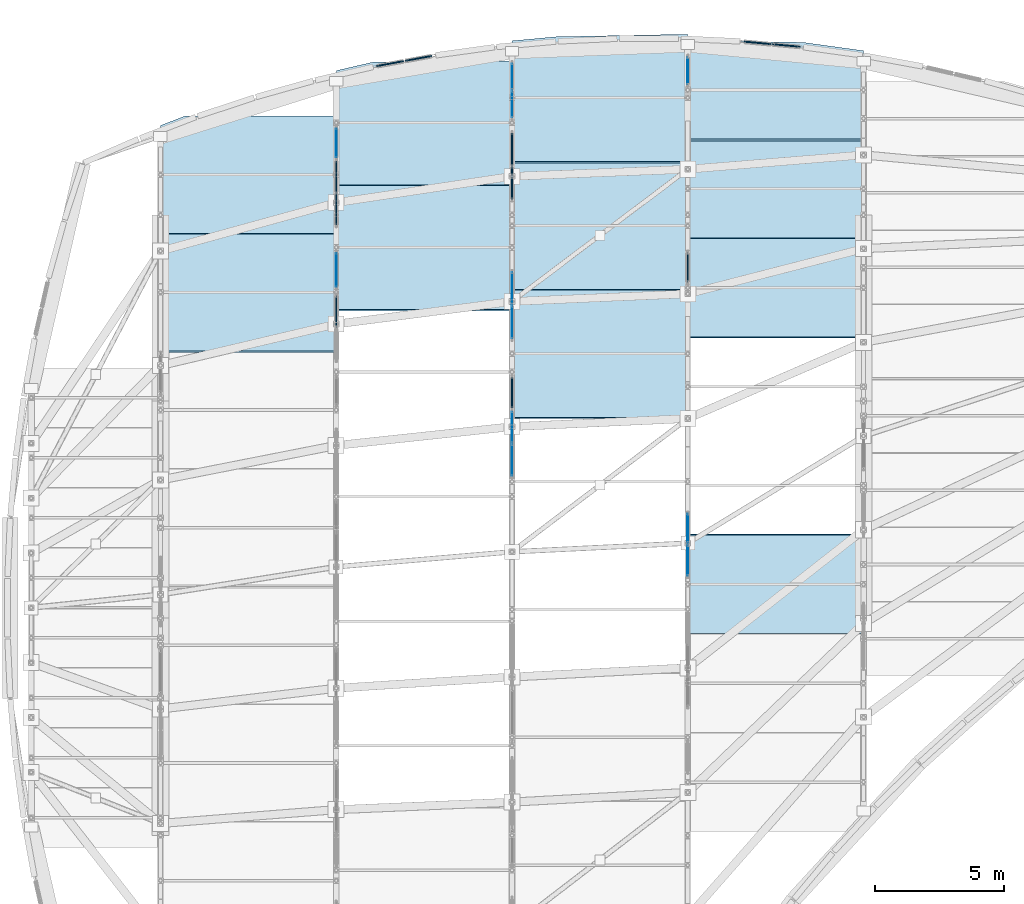
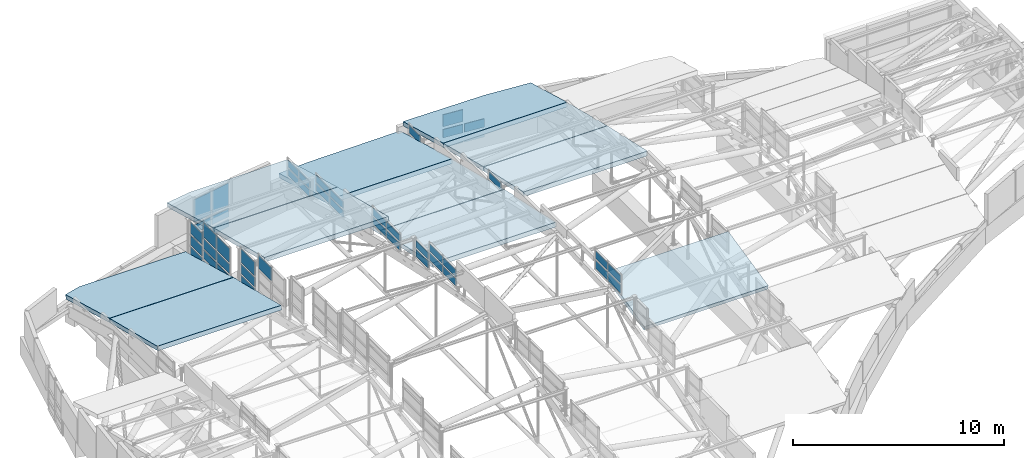
# One storey, part 162 of 188: 48 plates, 11 slabs, 14 elements without a shape of their own.
"""IFC4 building model written with IfcOpenShell, lengths in metres."""

from ifc_helpers import new_model, si_unit, direction, frame, origin, origin_2d, place, context, subcontext, project, spatial, polyline, rectangle, outline, extrude, material, layer, layer_set, type_object, element, aggregate, save


model = new_model("IFC4")

# Units and contexts
model_context = context("Model", 3, precision=1e-05, world=origin(), true_north=direction((0.0, 1.0)))
body_context = subcontext(model_context, "Body", "Model", "MODEL_VIEW")
ifc_project = project(units=[si_unit("LENGTHUNIT", "METRE"), si_unit("AREAUNIT", "SQUARE_METRE"), si_unit("VOLUMEUNIT", "CUBIC_METRE"), si_unit("PLANEANGLEUNIT", "RADIAN"), si_unit("MASSUNIT", "GRAM", prefix="KILO")], contexts=[model_context])

# Site, building, storey
site_placement = place(None, origin())
site = spatial("IfcSite", under=ifc_project, at=site_placement, CompositionType="ELEMENT")
building_placement = place(site_placement, origin())
building = spatial("IfcBuilding", under=site, at=building_placement, Name="Kisaragi Civic Commons", CompositionType="ELEMENT")
storey_placement = place(building_placement, frame((0.0, 0.0, 9.60009765625)))
storey = spatial("IfcBuildingStorey", under=building, at=storey_placement, Name="L02", CompositionType="ELEMENT", Elevation=9.60009765625)

# Curtain wall, plates
ifc_material_1 = material(Name="Thermally broken anodized aluminium and low-E double glazing", Category="aluminium")
ifc_layer_1 = layer(ifc_material_1, 0.2099609375, Name="Thermally broken anodized aluminium and low-E double glazing", Category="aluminium")
ifc_layer_set_1 = layer_set([ifc_layer_1], Name="Thermally broken anodized aluminium and low-E double glazing")
curtain_wall_type_1 = type_object("IfcCurtainWallType", Name="CW-02", PredefinedType="NOTDEFINED", material=ifc_layer_set_1)
curtain_wall_1_placement = place(storey_placement, origin())
curtain_wall_1 = element("IfcCurtainWall", 1, at=curtain_wall_1_placement, inside=storey, type_object=curtain_wall_type_1, Name="L02 curtain wall CW-02 CW-GAB-V2-223", PredefinedType="NOTDEFINED")
ifc_layer_2 = layer(ifc_material_1, 0.052001953125, Name="Thermally broken anodized aluminium and low-E double glazing", Category="aluminium")
ifc_layer_set_2 = layer_set([ifc_layer_2], Name="Thermally broken anodized aluminium and low-E double glazing")
plate_type_1 = type_object("IfcPlateType", Name="CWP-02", PredefinedType="CURTAIN_PANEL", material=ifc_layer_set_2)
plate_1_placement = place(storey_placement, frame((15.689453125, 117.453125, -1.2392578125), z_axis=(0.0, 0.0, 1.0), x_axis=(0.983297862814, 0.182003607066, 0.0)))
plate_1 = element("IfcPlate", 2, at=plate_1_placement, type_object=plate_type_1, Name="CW-02 panel 1.1", PredefinedType="CURTAIN_PANEL", context=body_context, shape_type="SweptSolid", body=[
    extrude(rectangle(XDim=1.044677734375, YDim=0.052001953125, at=origin_2d()), origin(), (0.0, 0.0, 1.0), 0.409912109375),
])
plate_2_placement = place(storey_placement, frame((15.689453125, 117.453125, -0.6689453125), z_axis=(0.0, 0.0, 1.0), x_axis=(0.983297862814, 0.182003607066, 0.0)))
plate_2 = element("IfcPlate", 3, at=plate_2_placement, type_object=plate_type_1, Name="CW-02 panel 1.2", PredefinedType="CURTAIN_PANEL", context=body_context, shape_type="SweptSolid", body=[
    extrude(rectangle(XDim=1.044677734375, YDim=0.052001953125, at=origin_2d()), origin(), (0.0, 0.0, 1.0), 0.489990234375),
])
plate_3_placement = place(storey_placement, frame((15.689453125, 117.453125, -0.01904296875), z_axis=(0.0, 0.0, 1.0), x_axis=(0.983297862814, 0.182003607066, 0.0)))
plate_3 = element("IfcPlate", 4, at=plate_3_placement, type_object=plate_type_1, Name="CW-02 panel 1.3", PredefinedType="CURTAIN_PANEL", context=body_context, shape_type="SweptSolid", body=[
    extrude(rectangle(XDim=1.044677734375, YDim=0.052001953125, at=origin_2d()), origin(), (0.0, 0.0, 1.0), 1.30859375),
])
plate_4_placement = place(storey_placement, frame((16.78564453125, 117.656005859375, -1.2392578125), z_axis=(0.0, 0.0, 1.0), x_axis=(0.983297862814, 0.182003607066, 0.0)))
plate_4 = element("IfcPlate", 5, at=plate_4_placement, type_object=plate_type_1, Name="CW-02 panel 2.1", PredefinedType="CURTAIN_PANEL", context=body_context, shape_type="SweptSolid", body=[
    extrude(rectangle(XDim=1.044677734375, YDim=0.052001953125, at=origin_2d()), origin(), (0.0, 0.0, 1.0), 0.409912109375),
])
plate_5_placement = place(storey_placement, frame((16.78564453125, 117.656005859375, -0.6689453125), z_axis=(0.0, 0.0, 1.0), x_axis=(0.983297862814, 0.182003607066, 0.0)))
plate_5 = element("IfcPlate", 6, at=plate_5_placement, type_object=plate_type_1, Name="CW-02 panel 2.2", PredefinedType="CURTAIN_PANEL", context=body_context, shape_type="SweptSolid", body=[
    extrude(rectangle(XDim=1.044677734375, YDim=0.052001953125, at=origin_2d()), origin(), (0.0, 0.0, 1.0), 0.489990234375),
])
plate_6_placement = place(storey_placement, frame((16.78564453125, 117.656005859375, -0.01904296875), z_axis=(0.0, 0.0, 1.0), x_axis=(0.983297862814, 0.182003607066, 0.0)))
plate_6 = element("IfcPlate", 7, at=plate_6_placement, type_object=plate_type_1, Name="CW-02 panel 2.3", PredefinedType="CURTAIN_PANEL", context=body_context, shape_type="SweptSolid", body=[
    extrude(rectangle(XDim=1.044677734375, YDim=0.052001953125, at=origin_2d()), origin(), (0.0, 0.0, 1.0), 1.30859375),
])
aggregate(curtain_wall_1, [plate_1, plate_2, plate_3, plate_4, plate_5, plate_6])

curtain_wall_2_placement = place(storey_placement, origin())
curtain_wall_2 = element("IfcCurtainWall", 8, at=curtain_wall_2_placement, inside=storey, type_object=curtain_wall_type_1, Name="L02 curtain wall CW-02 CW-GAB-V2-224", PredefinedType="NOTDEFINED")
plate_7_placement = place(storey_placement, frame((29.896240234375, 118.25634765625, -1.2392578125), z_axis=(0.0, 0.0, 1.0), x_axis=(0.995820521638, -0.091331750688, 0.0)))
plate_7 = element("IfcPlate", 9, at=plate_7_placement, type_object=plate_type_1, Name="CW-02 panel 1.1", PredefinedType="CURTAIN_PANEL", context=body_context, shape_type="SweptSolid", body=[
    extrude(rectangle(XDim=1.044677734375, YDim=0.052001953125, at=origin_2d()), origin(), (0.0, 0.0, 1.0), 0.409912109375),
])
plate_8_placement = place(storey_placement, frame((29.896240234375, 118.25634765625, -0.6689453125), z_axis=(0.0, 0.0, 1.0), x_axis=(0.995820521638, -0.091331750688, 0.0)))
plate_8 = element("IfcPlate", 10, at=plate_8_placement, type_object=plate_type_1, Name="CW-02 panel 1.2", PredefinedType="CURTAIN_PANEL", context=body_context, shape_type="SweptSolid", body=[
    extrude(rectangle(XDim=1.044677734375, YDim=0.052001953125, at=origin_2d()), origin(), (0.0, 0.0, 1.0), 0.489990234375),
])
plate_9_placement = place(storey_placement, frame((29.896240234375, 118.25634765625, -0.01904296875), z_axis=(0.0, 0.0, 1.0), x_axis=(0.995820521638, -0.091331750688, 0.0)))
plate_9 = element("IfcPlate", 11, at=plate_9_placement, type_object=plate_type_1, Name="CW-02 panel 1.3", PredefinedType="CURTAIN_PANEL", context=body_context, shape_type="SweptSolid", body=[
    extrude(rectangle(XDim=1.044677734375, YDim=0.052001953125, at=origin_2d()), origin(), (0.0, 0.0, 1.0), 0.6962890625),
])
plate_10_placement = place(storey_placement, frame((31.006103515625, 118.154541015625, -1.2392578125), z_axis=(0.0, 0.0, 1.0), x_axis=(0.995820521638, -0.091331750688, 0.0)))
plate_10 = element("IfcPlate", 12, at=plate_10_placement, type_object=plate_type_1, Name="CW-02 panel 2.1", PredefinedType="CURTAIN_PANEL", context=body_context, shape_type="SweptSolid", body=[
    extrude(rectangle(XDim=1.044677734375, YDim=0.052001953125, at=origin_2d()), origin(), (0.0, 0.0, 1.0), 0.409912109375),
])
plate_11_placement = place(storey_placement, frame((31.006103515625, 118.154541015625, -0.6689453125), z_axis=(0.0, 0.0, 1.0), x_axis=(0.995820521638, -0.091331750688, 0.0)))
plate_11 = element("IfcPlate", 13, at=plate_11_placement, type_object=plate_type_1, Name="CW-02 panel 2.2", PredefinedType="CURTAIN_PANEL", context=body_context, shape_type="SweptSolid", body=[
    extrude(rectangle(XDim=1.044677734375, YDim=0.052001953125, at=origin_2d()), origin(), (0.0, 0.0, 1.0), 0.489990234375),
])
aggregate(curtain_wall_2, [plate_7, plate_8, plate_9, plate_10, plate_11])

ifc_layer_3 = layer(ifc_material_1, 0.14990234375, Name="Thermally broken anodized aluminium and low-E double glazing", Category="aluminium")
ifc_layer_set_3 = layer_set([ifc_layer_3], Name="Thermally broken anodized aluminium and low-E double glazing")
curtain_wall_type_2 = type_object("IfcCurtainWallType", Name="CW-03", PredefinedType="NOTDEFINED", material=ifc_layer_set_3)
curtain_wall_3_placement = place(storey_placement, origin())
curtain_wall_3 = element("IfcCurtainWall", 14, at=curtain_wall_3_placement, inside=storey, type_object=curtain_wall_type_2, Name="L02 curtain wall CW-03 CW-CL-V2-190", PredefinedType="NOTDEFINED")
ifc_layer_4 = layer(ifc_material_1, 0.0380859375, Name="Thermally broken anodized aluminium and low-E double glazing", Category="aluminium")
ifc_layer_set_4 = layer_set([ifc_layer_4], Name="Thermally broken anodized aluminium and low-E double glazing")
plate_type_2 = type_object("IfcPlateType", Name="CWP-03", PredefinedType="CURTAIN_PANEL", material=ifc_layer_set_4)
plate_12_placement = place(storey_placement, frame((13.60009765625, 109.472900390625, 1.369140625), z_axis=(0.0, 0.0, 1.0), x_axis=(0.0, 1.0, 0.0)))
plate_12 = element("IfcPlate", 15, at=plate_12_placement, type_object=plate_type_2, Name="CW-03 panel 1.1", PredefinedType="CURTAIN_PANEL", context=body_context, shape_type="SweptSolid", body=[
    extrude(rectangle(XDim=1.298095703125, YDim=0.0380859375, at=origin_2d()), origin(), (0.0, 0.0, 1.0), 0.469970703125),
])
plate_13_placement = place(storey_placement, frame((13.60009765625, 109.472900390625, 1.958984375), z_axis=(0.0, 0.0, 1.0), x_axis=(0.0, 1.0, 0.0)))
plate_13 = element("IfcPlate", 16, at=plate_13_placement, type_object=plate_type_2, Name="CW-03 panel 1.2", PredefinedType="CURTAIN_PANEL", context=body_context, shape_type="SweptSolid", body=[
    extrude(rectangle(XDim=1.298095703125, YDim=0.0380859375, at=origin_2d()), origin(), (0.0, 0.0, 1.0), 0.530029296875),
])
plate_14_placement = place(storey_placement, frame((13.60009765625, 109.472900390625, 2.60888671875), z_axis=(0.0, 0.0, 1.0), x_axis=(0.0, 1.0, 0.0)))
plate_14 = element("IfcPlate", 17, at=plate_14_placement, type_object=plate_type_2, Name="CW-03 panel 1.3", PredefinedType="CURTAIN_PANEL", context=body_context, shape_type="SweptSolid", body=[
    extrude(rectangle(XDim=1.298095703125, YDim=0.0380859375, at=origin_2d()), origin(), (0.0, 0.0, 1.0), 0.771240234375),
])
aggregate(curtain_wall_3, [plate_12, plate_13, plate_14])

curtain_wall_4_placement = place(storey_placement, origin())
curtain_wall_4 = element("IfcCurtainWall", 18, at=curtain_wall_4_placement, inside=storey, type_object=curtain_wall_type_2, Name="L02 curtain wall CW-03 CW-CL-V2-192", PredefinedType="NOTDEFINED")
plate_15_placement = place(storey_placement, frame((13.60009765625, 114.383544921875, 0.125), z_axis=(0.0, 0.0, 1.0), x_axis=(0.0, 1.0, 0.0)))
plate_15 = element("IfcPlate", 19, at=plate_15_placement, type_object=plate_type_2, Name="CW-03 panel 1.1", PredefinedType="CURTAIN_PANEL", context=body_context, shape_type="SweptSolid", body=[
    extrude(rectangle(XDim=1.114501953125, YDim=0.0380859375, at=origin_2d()), origin(), (0.0, 0.0, 1.0), 0.469970703125),
])
plate_16_placement = place(storey_placement, frame((13.60009765625, 114.383544921875, 0.71484375), z_axis=(0.0, 0.0, 1.0), x_axis=(0.0, 1.0, 0.0)))
plate_16 = element("IfcPlate", 20, at=plate_16_placement, type_object=plate_type_2, Name="CW-03 panel 1.2", PredefinedType="CURTAIN_PANEL", context=body_context, shape_type="SweptSolid", body=[
    extrude(rectangle(XDim=1.114501953125, YDim=0.0380859375, at=origin_2d()), origin(), (0.0, 0.0, 1.0), 0.530029296875),
])
plate_17_placement = place(storey_placement, frame((13.60009765625, 114.383544921875, 1.364990234375), z_axis=(0.0, 0.0, 1.0), x_axis=(0.0, 1.0, 0.0)))
plate_17 = element("IfcPlate", 21, at=plate_17_placement, type_object=plate_type_2, Name="CW-03 panel 1.3", PredefinedType="CURTAIN_PANEL", context=body_context, shape_type="SweptSolid", body=[
    extrude(rectangle(XDim=1.114501953125, YDim=0.0380859375, at=origin_2d()), origin(), (0.0, 0.0, 1.0), 0.6494140625),
])
aggregate(curtain_wall_4, [plate_15, plate_16, plate_17])

curtain_wall_5_placement = place(storey_placement, origin())
curtain_wall_5 = element("IfcCurtainWall", 22, at=curtain_wall_5_placement, inside=storey, type_object=curtain_wall_type_2, Name="L02 curtain wall CW-03 CW-CL-V2-198", PredefinedType="NOTDEFINED")
plate_18_placement = place(storey_placement, frame((20.39990234375, 102.111572265625, 4.0673828125), z_axis=(0.0, 0.0, 1.0), x_axis=(0.0, 1.0, 0.0)))
plate_18 = element("IfcPlate", 23, at=plate_18_placement, type_object=plate_type_2, Name="CW-03 panel 1.1", PredefinedType="CURTAIN_PANEL", context=body_context, shape_type="SweptSolid", body=[
    extrude(rectangle(XDim=1.21240234375, YDim=0.0380859375, at=origin_2d()), origin(), (0.0, 0.0, 1.0), 0.406982421875),
])
plate_19_placement = place(storey_placement, frame((20.39990234375, 102.111572265625, 4.5947265625), z_axis=(0.0, 0.0, 1.0), x_axis=(0.0, 1.0, 0.0)))
plate_19 = element("IfcPlate", 24, at=plate_19_placement, type_object=plate_type_2, Name="CW-03 panel 1.2", PredefinedType="CURTAIN_PANEL", context=body_context, shape_type="SweptSolid", body=[
    extrude(rectangle(XDim=1.21240234375, YDim=0.0380859375, at=origin_2d()), origin(), (0.0, 0.0, 1.0), 0.406982421875),
])
plate_20_placement = place(storey_placement, frame((20.39990234375, 103.384033203125, 4.0673828125), z_axis=(0.0, 0.0, 1.0), x_axis=(0.0, 1.0, 0.0)))
plate_20 = element("IfcPlate", 25, at=plate_20_placement, type_object=plate_type_2, Name="CW-03 panel 2.1", PredefinedType="CURTAIN_PANEL", context=body_context, shape_type="SweptSolid", body=[
    extrude(rectangle(XDim=1.21240234375, YDim=0.0380859375, at=origin_2d()), origin(), (0.0, 0.0, 1.0), 0.406982421875),
])
plate_21_placement = place(storey_placement, frame((20.39990234375, 103.384033203125, 4.5947265625), z_axis=(0.0, 0.0, 1.0), x_axis=(0.0, 1.0, 0.0)))
plate_21 = element("IfcPlate", 26, at=plate_21_placement, type_object=plate_type_2, Name="CW-03 panel 2.2", PredefinedType="CURTAIN_PANEL", context=body_context, shape_type="SweptSolid", body=[
    extrude(rectangle(XDim=1.21240234375, YDim=0.0380859375, at=origin_2d()), origin(), (0.0, 0.0, 1.0), 0.406982421875),
])
aggregate(curtain_wall_5, [plate_18, plate_19, plate_20, plate_21])

curtain_wall_6_placement = place(storey_placement, origin())
curtain_wall_6 = element("IfcCurtainWall", 27, at=curtain_wall_6_placement, inside=storey, type_object=curtain_wall_type_2, Name="L02 curtain wall CW-03 CW-CL-V2-200", PredefinedType="NOTDEFINED")
plate_22_placement = place(storey_placement, frame((20.39990234375, 107.448974609375, 2.90234375), z_axis=(0.0, 0.0, 1.0), x_axis=(0.0, 1.0, 0.0)))
plate_22 = element("IfcPlate", 28, at=plate_22_placement, type_object=plate_type_2, Name="CW-03 panel 1.1", PredefinedType="CURTAIN_PANEL", context=body_context, shape_type="SweptSolid", body=[
    extrude(rectangle(XDim=1.244140625, YDim=0.0380859375, at=origin_2d()), origin(), (0.0, 0.0, 1.0), 0.395751953125),
])
plate_23_placement = place(storey_placement, frame((20.39990234375, 107.448974609375, 3.41796875), z_axis=(0.0, 0.0, 1.0), x_axis=(0.0, 1.0, 0.0)))
plate_23 = element("IfcPlate", 29, at=plate_23_placement, type_object=plate_type_2, Name="CW-03 panel 1.2", PredefinedType="CURTAIN_PANEL", context=body_context, shape_type="SweptSolid", body=[
    extrude(rectangle(XDim=1.244140625, YDim=0.0380859375, at=origin_2d()), origin(), (0.0, 0.0, 1.0), 0.39599609375),
])
plate_24_placement = place(storey_placement, frame((20.39990234375, 108.753173828125, 2.90234375), z_axis=(0.0, 0.0, 1.0), x_axis=(0.0, 1.0, 0.0)))
plate_24 = element("IfcPlate", 30, at=plate_24_placement, type_object=plate_type_2, Name="CW-03 panel 2.1", PredefinedType="CURTAIN_PANEL", context=body_context, shape_type="SweptSolid", body=[
    extrude(rectangle(XDim=1.244140625, YDim=0.0380859375, at=origin_2d()), origin(), (0.0, 0.0, 1.0), 0.395751953125),
])
plate_25_placement = place(storey_placement, frame((20.39990234375, 108.753173828125, 3.41796875), z_axis=(0.0, 0.0, 1.0), x_axis=(0.0, 1.0, 0.0)))
plate_25 = element("IfcPlate", 31, at=plate_25_placement, type_object=plate_type_2, Name="CW-03 panel 2.2", PredefinedType="CURTAIN_PANEL", context=body_context, shape_type="SweptSolid", body=[
    extrude(rectangle(XDim=1.244140625, YDim=0.0380859375, at=origin_2d()), origin(), (0.0, 0.0, 1.0), 0.39599609375),
])
aggregate(curtain_wall_6, [plate_22, plate_23, plate_24, plate_25])

curtain_wall_7_placement = place(storey_placement, origin())
curtain_wall_7 = element("IfcCurtainWall", 32, at=curtain_wall_7_placement, inside=storey, type_object=curtain_wall_type_2, Name="L02 curtain wall CW-03 CW-CL-V2-202", PredefinedType="NOTDEFINED")
plate_26_placement = place(storey_placement, frame((20.39990234375, 115.8837890625, 0.83447265625), z_axis=(0.0, 0.0, 1.0), x_axis=(0.0, 1.0, 0.0)))
plate_26 = element("IfcPlate", 33, at=plate_26_placement, type_object=plate_type_2, Name="CW-03 panel 1.1", PredefinedType="CURTAIN_PANEL", context=body_context, shape_type="SweptSolid", body=[
    extrude(rectangle(XDim=1.005859375, YDim=0.0380859375, at=origin_2d()), origin(), (0.0, 0.0, 1.0), 0.374755859375),
])
plate_27_placement = place(storey_placement, frame((20.39990234375, 115.8837890625, 1.3291015625), z_axis=(0.0, 0.0, 1.0), x_axis=(0.0, 1.0, 0.0)))
plate_27 = element("IfcPlate", 34, at=plate_27_placement, type_object=plate_type_2, Name="CW-03 panel 1.2", PredefinedType="CURTAIN_PANEL", context=body_context, shape_type="SweptSolid", body=[
    extrude(rectangle(XDim=1.005859375, YDim=0.0380859375, at=origin_2d()), origin(), (0.0, 0.0, 1.0), 0.374755859375),
])
plate_28_placement = place(storey_placement, frame((20.39990234375, 116.94970703125, 0.83447265625), z_axis=(0.0, 0.0, 1.0), x_axis=(0.0, 1.0, 0.0)))
plate_28 = element("IfcPlate", 35, at=plate_28_placement, type_object=plate_type_2, Name="CW-03 panel 2.1", PredefinedType="CURTAIN_PANEL", context=body_context, shape_type="SweptSolid", body=[
    extrude(rectangle(XDim=1.005859375, YDim=0.0380859375, at=origin_2d()), origin(), (0.0, 0.0, 1.0), 0.374755859375),
])
plate_29_placement = place(storey_placement, frame((20.39990234375, 116.94970703125, 1.3291015625), z_axis=(0.0, 0.0, 1.0), x_axis=(0.0, 1.0, 0.0)))
plate_29 = element("IfcPlate", 36, at=plate_29_placement, type_object=plate_type_2, Name="CW-03 panel 2.2", PredefinedType="CURTAIN_PANEL", context=body_context, shape_type="SweptSolid", body=[
    extrude(rectangle(XDim=1.005859375, YDim=0.0380859375, at=origin_2d()), origin(), (0.0, 0.0, 1.0), 0.374755859375),
])
aggregate(curtain_wall_7, [plate_26, plate_27, plate_28, plate_29])

curtain_wall_8_placement = place(storey_placement, origin())
curtain_wall_8 = element("IfcCurtainWall", 37, at=curtain_wall_8_placement, inside=storey, type_object=curtain_wall_type_2, Name="L02 curtain wall CW-03 CW-CL-V2-206", PredefinedType="NOTDEFINED")
plate_30_placement = place(storey_placement, frame((27.199951171875, 98.2294921875, 3.62939453125), z_axis=(0.0, 0.0, 1.0), x_axis=(0.0, 1.0, 0.0)))
plate_30 = element("IfcPlate", 38, at=plate_30_placement, type_object=plate_type_2, Name="CW-03 panel 1.1", PredefinedType="CURTAIN_PANEL", context=body_context, shape_type="SweptSolid", body=[
    extrude(rectangle(XDim=1.16064453125, YDim=0.0380859375, at=origin_2d()), origin(), (0.0, 0.0, 1.0), 0.44580078125),
])
plate_31_placement = place(storey_placement, frame((27.199951171875, 98.2294921875, 4.1953125), z_axis=(0.0, 0.0, 1.0), x_axis=(0.0, 1.0, 0.0)))
plate_31 = element("IfcPlate", 39, at=plate_31_placement, type_object=plate_type_2, Name="CW-03 panel 1.2", PredefinedType="CURTAIN_PANEL", context=body_context, shape_type="SweptSolid", body=[
    extrude(rectangle(XDim=1.16064453125, YDim=0.0380859375, at=origin_2d()), origin(), (0.0, 0.0, 1.0), 0.44580078125),
])
plate_32_placement = place(storey_placement, frame((27.199951171875, 99.449951171875, 3.62939453125), z_axis=(0.0, 0.0, 1.0), x_axis=(0.0, 1.0, 0.0)))
plate_32 = element("IfcPlate", 40, at=plate_32_placement, type_object=plate_type_2, Name="CW-03 panel 2.1", PredefinedType="CURTAIN_PANEL", context=body_context, shape_type="SweptSolid", body=[
    extrude(rectangle(XDim=1.16064453125, YDim=0.0380859375, at=origin_2d()), origin(), (0.0, 0.0, 1.0), 0.44580078125),
])
plate_33_placement = place(storey_placement, frame((27.199951171875, 99.449951171875, 4.1953125), z_axis=(0.0, 0.0, 1.0), x_axis=(0.0, 1.0, 0.0)))
plate_33 = element("IfcPlate", 41, at=plate_33_placement, type_object=plate_type_2, Name="CW-03 panel 2.2", PredefinedType="CURTAIN_PANEL", context=body_context, shape_type="SweptSolid", body=[
    extrude(rectangle(XDim=1.16064453125, YDim=0.0380859375, at=origin_2d()), origin(), (0.0, 0.0, 1.0), 0.44580078125),
])
aggregate(curtain_wall_8, [plate_30, plate_31, plate_32, plate_33])

# Curtain wall, plate
curtain_wall_9_placement = place(storey_placement, origin())
curtain_wall_9 = element("IfcCurtainWall", 42, at=curtain_wall_9_placement, inside=storey, type_object=curtain_wall_type_2, Name="L02 curtain wall CW-03 CW-CL-V2-208", PredefinedType="NOTDEFINED")
plate_34_placement = place(storey_placement, frame((27.199951171875, 117.179931640625, 0.74072265625), z_axis=(0.0, 0.0, 1.0), x_axis=(0.0, 1.0, 0.0)))
plate_34 = element("IfcPlate", 43, at=plate_34_placement, type_object=plate_type_2, Name="CW-03 panel 1.1", PredefinedType="CURTAIN_PANEL", context=body_context, shape_type="SweptSolid", body=[
    extrude(rectangle(XDim=1.05322265625, YDim=0.0380859375, at=origin_2d()), origin(), (0.0, 0.0, 1.0), 0.43798828125),
])
aggregate(curtain_wall_9, [plate_34])

curtain_wall_10_placement = place(storey_placement, origin())
curtain_wall_10 = element("IfcCurtainWall", 44, at=curtain_wall_10_placement, inside=storey, type_object=curtain_wall_type_2, Name="L02 curtain wall CW-03 CW-CL-V2-189", PredefinedType="NOTDEFINED")
ifc_layer_5 = layer(ifc_material_1, 0.041015625, Name="Thermally broken anodized aluminium and low-E double glazing", Category="aluminium")
ifc_layer_set_5 = layer_set([ifc_layer_5], Name="Thermally broken anodized aluminium and low-E double glazing")
plate_type_3 = type_object("IfcPlateType", Name="CWP-11", PredefinedType="CURTAIN_PANEL", material=ifc_layer_set_5)
plate_35_placement = place(storey_placement, frame((13.60009765625, 107.86181640625, 3.259765625), z_axis=(0.0, 0.0, 1.0), x_axis=(0.0, 1.0, 0.0)))
plate_35 = element("IfcPlate", 45, at=plate_35_placement, type_object=plate_type_3, Name="CW-03 panel 2.3", PredefinedType="CURTAIN_PANEL", context=body_context, shape_type="SweptSolid", body=[
    extrude(rectangle(XDim=1.202880859375, YDim=0.041015625, at=origin_2d()), origin(), (0.0, 0.0, 1.0), 0.751708984375),
])
aggregate(curtain_wall_10, [plate_35])

# Curtain wall, plates
curtain_wall_11_placement = place(storey_placement, origin())
curtain_wall_11 = element("IfcCurtainWall", 46, at=curtain_wall_11_placement, inside=storey, type_object=curtain_wall_type_2, Name="L02 curtain wall CW-03 CW-CL-V2-191", PredefinedType="NOTDEFINED")
plate_36_placement = place(storey_placement, frame((13.60009765625, 111.818359375, 0.67431640625), z_axis=(0.0, 0.0, 1.0), x_axis=(0.0, 1.0, 0.0)))
plate_36 = element("IfcPlate", 47, at=plate_36_placement, type_object=plate_type_3, Name="CW-03 panel 1.1", PredefinedType="CURTAIN_PANEL", context=body_context, shape_type="SweptSolid", body=[
    extrude(rectangle(XDim=1.20263671875, YDim=0.041015625, at=origin_2d()), origin(), (0.0, 0.0, 1.0), 0.469970703125),
])
plate_37_placement = place(storey_placement, frame((13.60009765625, 111.818359375, 1.2646484375), z_axis=(0.0, 0.0, 1.0), x_axis=(0.0, 1.0, 0.0)))
plate_37 = element("IfcPlate", 48, at=plate_37_placement, type_object=plate_type_3, Name="CW-03 panel 1.2", PredefinedType="CURTAIN_PANEL", context=body_context, shape_type="SweptSolid", body=[
    extrude(rectangle(XDim=1.20263671875, YDim=0.041015625, at=origin_2d()), origin(), (0.0, 0.0, 1.0), 0.530029296875),
])
plate_38_placement = place(storey_placement, frame((13.60009765625, 111.818359375, 1.91455078125), z_axis=(0.0, 0.0, 1.0), x_axis=(0.0, 1.0, 0.0)))
plate_38 = element("IfcPlate", 49, at=plate_38_placement, type_object=plate_type_3, Name="CW-03 panel 1.3", PredefinedType="CURTAIN_PANEL", context=body_context, shape_type="SweptSolid", body=[
    extrude(rectangle(XDim=1.20263671875, YDim=0.041015625, at=origin_2d()), origin(), (0.0, 0.0, 1.0), 0.815185546875),
])
plate_39_placement = place(storey_placement, frame((13.60009765625, 113.0810546875, 0.67431640625), z_axis=(0.0, 0.0, 1.0), x_axis=(0.0, 1.0, 0.0)))
plate_39 = element("IfcPlate", 50, at=plate_39_placement, type_object=plate_type_3, Name="CW-03 panel 2.1", PredefinedType="CURTAIN_PANEL", context=body_context, shape_type="SweptSolid", body=[
    extrude(rectangle(XDim=1.20263671875, YDim=0.041015625, at=origin_2d()), origin(), (0.0, 0.0, 1.0), 0.469970703125),
])
plate_40_placement = place(storey_placement, frame((13.60009765625, 113.0810546875, 1.2646484375), z_axis=(0.0, 0.0, 1.0), x_axis=(0.0, 1.0, 0.0)))
plate_40 = element("IfcPlate", 51, at=plate_40_placement, type_object=plate_type_3, Name="CW-03 panel 2.2", PredefinedType="CURTAIN_PANEL", context=body_context, shape_type="SweptSolid", body=[
    extrude(rectangle(XDim=1.20263671875, YDim=0.041015625, at=origin_2d()), origin(), (0.0, 0.0, 1.0), 0.530029296875),
])
plate_41_placement = place(storey_placement, frame((13.60009765625, 113.0810546875, 1.91455078125), z_axis=(0.0, 0.0, 1.0), x_axis=(0.0, 1.0, 0.0)))
plate_41 = element("IfcPlate", 52, at=plate_41_placement, type_object=plate_type_3, Name="CW-03 panel 2.3", PredefinedType="CURTAIN_PANEL", context=body_context, shape_type="SweptSolid", body=[
    extrude(rectangle(XDim=1.20263671875, YDim=0.041015625, at=origin_2d()), origin(), (0.0, 0.0, 1.0), 0.815185546875),
])
aggregate(curtain_wall_11, [plate_36, plate_37, plate_38, plate_39, plate_40, plate_41])

curtain_wall_12_placement = place(storey_placement, origin())
curtain_wall_12 = element("IfcCurtainWall", 53, at=curtain_wall_12_placement, inside=storey, type_object=curtain_wall_type_2, Name="L02 curtain wall CW-03 CW-CL-V2-199", PredefinedType="NOTDEFINED")
plate_42_placement = place(storey_placement, frame((20.39990234375, 104.71875, 3.4990234375), z_axis=(0.0, 0.0, 1.0), x_axis=(0.0, 1.0, 0.0)))
plate_42 = element("IfcPlate", 54, at=plate_42_placement, type_object=plate_type_3, Name="CW-03 panel 1.1", PredefinedType="CURTAIN_PANEL", context=body_context, shape_type="SweptSolid", body=[
    extrude(rectangle(XDim=1.1689453125, YDim=0.041015625, at=origin_2d()), origin(), (0.0, 0.0, 1.0), 0.398193359375),
])
plate_43_placement = place(storey_placement, frame((20.39990234375, 104.71875, 4.01708984375), z_axis=(0.0, 0.0, 1.0), x_axis=(0.0, 1.0, 0.0)))
plate_43 = element("IfcPlate", 55, at=plate_43_placement, type_object=plate_type_3, Name="CW-03 panel 1.2", PredefinedType="CURTAIN_PANEL", context=body_context, shape_type="SweptSolid", body=[
    extrude(rectangle(XDim=1.1689453125, YDim=0.041015625, at=origin_2d()), origin(), (0.0, 0.0, 1.0), 0.398193359375),
])
aggregate(curtain_wall_12, [plate_42, plate_43])

curtain_wall_13_placement = place(storey_placement, origin())
curtain_wall_13 = element("IfcCurtainWall", 56, at=curtain_wall_13_placement, inside=storey, type_object=curtain_wall_type_2, Name="L02 curtain wall CW-03 CW-CL-V2-201", PredefinedType="NOTDEFINED")
plate_44_placement = place(storey_placement, frame((20.39990234375, 112.833740234375, 1.576171875), z_axis=(0.0, 0.0, 1.0), x_axis=(0.0, 1.0, 0.0)))
plate_44 = element("IfcPlate", 57, at=plate_44_placement, type_object=plate_type_3, Name="CW-03 panel 1.1", PredefinedType="CURTAIN_PANEL", context=body_context, shape_type="SweptSolid", body=[
    extrude(rectangle(XDim=1.244140625, YDim=0.041015625, at=origin_2d()), origin(), (0.0, 0.0, 1.0), 0.377197265625),
])
plate_45_placement = place(storey_placement, frame((20.39990234375, 112.833740234375, 2.07373046875), z_axis=(0.0, 0.0, 1.0), x_axis=(0.0, 1.0, 0.0)))
plate_45 = element("IfcPlate", 58, at=plate_45_placement, type_object=plate_type_3, Name="CW-03 panel 1.2", PredefinedType="CURTAIN_PANEL", context=body_context, shape_type="SweptSolid", body=[
    extrude(rectangle(XDim=1.244140625, YDim=0.041015625, at=origin_2d()), origin(), (0.0, 0.0, 1.0), 0.377197265625),
])
plate_46_placement = place(storey_placement, frame((20.39990234375, 114.13818359375, 1.576171875), z_axis=(0.0, 0.0, 1.0), x_axis=(0.0, 1.0, 0.0)))
plate_46 = element("IfcPlate", 59, at=plate_46_placement, type_object=plate_type_3, Name="CW-03 panel 2.1", PredefinedType="CURTAIN_PANEL", context=body_context, shape_type="SweptSolid", body=[
    extrude(rectangle(XDim=1.244140625, YDim=0.041015625, at=origin_2d()), origin(), (0.0, 0.0, 1.0), 0.377197265625),
])
plate_47_placement = place(storey_placement, frame((20.39990234375, 114.13818359375, 2.07373046875), z_axis=(0.0, 0.0, 1.0), x_axis=(0.0, 1.0, 0.0)))
plate_47 = element("IfcPlate", 60, at=plate_47_placement, type_object=plate_type_3, Name="CW-03 panel 2.2", PredefinedType="CURTAIN_PANEL", context=body_context, shape_type="SweptSolid", body=[
    extrude(rectangle(XDim=1.244140625, YDim=0.041015625, at=origin_2d()), origin(), (0.0, 0.0, 1.0), 0.377197265625),
])
aggregate(curtain_wall_13, [plate_44, plate_45, plate_46, plate_47])

# Curtain wall, plate
curtain_wall_14_placement = place(storey_placement, origin())
curtain_wall_14 = element("IfcCurtainWall", 61, at=curtain_wall_14_placement, inside=storey, type_object=curtain_wall_type_2, Name="L02 curtain wall CW-03 CW-CL-V2-207", PredefinedType="NOTDEFINED")
plate_48_placement = place(storey_placement, frame((27.199951171875, 109.56689453125, 2.709716796875), z_axis=(0.0, 0.0, 1.0), x_axis=(0.0, 1.0, 0.0)))
plate_48 = element("IfcPlate", 62, at=plate_48_placement, type_object=plate_type_3, Name="CW-03 panel 1.1", PredefinedType="CURTAIN_PANEL", context=body_context, shape_type="SweptSolid", body=[
    extrude(rectangle(XDim=1.128173828125, YDim=0.041015625, at=origin_2d()), origin(), (0.0, 0.0, 1.0), 0.365234375),
])
aggregate(curtain_wall_14, [plate_48])

# Slabs
ifc_material_2 = material(Name="Concrete Fc30", Category="concrete")
ifc_layer_6 = layer(ifc_material_2, 0.238037109375, Name="Concrete Fc30", Category="concrete")
ifc_layer_set_6 = layer_set([ifc_layer_6], Name="Concrete Fc30")
slab_type = type_object("IfcSlabType", Name="SL-WV2", PredefinedType="ROOF", material=ifc_layer_set_6)
slab_1_placement = place(storey_placement, frame((13.594970703125, 110.86962890625, 1.2705078125), z_axis=(0.0, 0.241883650802, 0.970305260975), x_axis=(-1.0, 0.0, 0.0)))
element("IfcSlab", 63, at=slab_1_placement, inside=storey, type_object=slab_type, Name="V2 continuous wave vault facet 2.7", PredefinedType="ROOF", context=body_context, shape_type="SweptSolid", body=[
    extrude(outline(polyline([(0.0, 0.0), (6.7900390625, 0.0), (6.7900390625, 4.670173730763581), (0.0, 4.670173730763581), (0.0, 0.0)])), origin(), (0.0, 0.0, -1.0), 0.238037109375),
])
slab_2_placement = place(storey_placement, frame((13.594970703125, 115.423095703125, 0.0078125), z_axis=(-4.13725e-07, 0.267255829843, 0.963625612681), x_axis=(-1.0, -1.1057e-07, -3.98676e-07)))
element("IfcSlab", 64, at=slab_2_placement, inside=storey, type_object=slab_type, Name="V2 continuous wave vault facet 2.8", PredefinedType="ROOF", context=body_context, shape_type="SweptSolid", body=[
    extrude(outline(polyline([(0.0, 0.0), (5.8464355468745, 0.0), (6.7900390625017435, 0.3754724863424779), (6.790039062499581, 4.704573126358855), (1.6151474218843557e-13, 4.704573126358855), (0.0, 0.0)])), origin(), (0.0, 0.0, -1.0), 0.238037109375),
])
slab_3_placement = place(storey_placement, frame((20.39501953125, 112.741455078125, 2.994873046875), z_axis=(0.0, 0.241931598384, 0.970293307049), x_axis=(-1.0, 0.0, 0.0)))
element("IfcSlab", 65, at=slab_3_placement, inside=storey, type_object=slab_type, Name="V2 continuous wave vault facet 3.7", PredefinedType="ROOF", context=body_context, shape_type="SweptSolid", body=[
    extrude(outline(polyline([(0.0, 0.0), (6.7900390625, 0.0), (6.7900390625, 4.945750001715775), (0.0, 4.945750001715775), (0.0, 0.0)])), origin(), (0.0, 0.0, -1.0), 0.238037109375),
])
slab_4_placement = place(storey_placement, frame((13.60498046875, 117.18212890625, 1.763671875), z_axis=(4.283023e-06, 0.26721849893, 0.963635965399), x_axis=(2.5e-11, -0.963635965408, 0.267218498933)))
element("IfcSlab", 66, at=slab_4_placement, inside=storey, type_object=slab_type, Name="V2 continuous wave vault facet 3.8", PredefinedType="ROOF", context=body_context, shape_type="SweptSolid", body=[
    extrude(outline(polyline([(0.0, 0.0), (4.587465944528075, -8.470329472543003e-22), (4.587465944697051, 6.790039062437721), (-0.3944872043426117, 6.790039062689644), (-0.34532334309134605, 1.4299316406576836), (0.0, 0.0)])), origin(), (0.0, 0.0, -1.0), 0.238037109375),
])
slab_5_placement = place(storey_placement, frame((27.195068359375, 108.697265625, 2.927978515625), z_axis=(0.0, 0.216443912192, 0.97629505421), x_axis=(-1.0, 0.0, 0.0)))
element("IfcSlab", 67, at=slab_5_placement, inside=storey, type_object=slab_type, Name="V2 continuous wave vault facet 4.6", PredefinedType="ROOF", context=body_context, shape_type="SweptSolid", body=[
    extrude(outline(polyline([(0.0, 0.0), (6.7900390625, 0.0), (6.7900390625, 5.047632367258116), (0.0, 5.047632367258116), (0.0, 0.0)])), origin(), (0.0, 0.0, -1.0), 0.238037109375),
])
slab_6_placement = place(storey_placement, frame((27.195068359375, 113.64501953125, 1.694580078125), z_axis=(0.0, 0.241947402906, 0.970289366234), x_axis=(-1.0, 0.0, 0.0)))
element("IfcSlab", 68, at=slab_6_placement, inside=storey, type_object=slab_type, Name="V2 continuous wave vault facet 4.7", PredefinedType="ROOF", context=body_context, shape_type="SweptSolid", body=[
    extrude(outline(polyline([(0.0, 0.0), (6.7900390625, 0.0), (6.7900390625, 5.078623497777271), (0.0, 5.078623497777271), (0.0, 0.0)])), origin(), (0.0, 0.0, -1.0), 0.238037109375),
])
slab_7_placement = place(storey_placement, frame((20.405029296875, 118.336181640625, 0.39404296875), z_axis=(1.2128583e-05, 0.267244325385, 0.963628803224), x_axis=(1.05e-10, -0.963628803295, 0.267244325405)))
element("IfcSlab", 69, at=slab_7_placement, inside=storey, type_object=slab_type, Name="V2 continuous wave vault facet 4.8", PredefinedType="ROOF", context=body_context, shape_type="SweptSolid", body=[
    extrude(outline(polyline([(0.0, 0.0), (4.847438545906485, 3.3881317890172014e-21), (4.8474385466167735, 6.790039062000584), (-0.2625209480030321, 6.790039063982283), (-0.16365745616178962, 1.7202148431956095), (0.0, 0.0)])), origin(), (0.0, 0.0, -1.0), 0.238037109375),
])
for number, where, z_axis, x_axis, name in (
    (70, (33.9951171875, 99.209716796875, 3.86962890625), (0.0, -0.216479435843, 0.976287177964), (-1.0, 0.0, 0.0), "V2 continuous wave vault facet 5.3"),
    (71, (33.9951171875, 110.685546875, 3.02587890625), (0.0, 0.216479435843, 0.976287177964), (-1.0, 0.0, 0.0), "V2 continuous wave vault facet 5.6"),
):
    element("IfcSlab", number, at=place(storey_placement, frame(where, z_axis=z_axis, x_axis=x_axis)), inside=storey, type_object=slab_type, Name=name, PredefinedType="ROOF", context=body_context, shape_type="SweptSolid", body=[
        extrude(outline(polyline([(0.0, 0.0), (6.7900390625, 0.0), (6.7900390625, 3.897598849126414), (0.0, 3.897598849126414), (0.0, 0.0)])), origin(), (0.0, 0.0, -1.0), 0.238037109375),
    ])
slab_8_placement = place(storey_placement, frame((33.9951171875, 114.5107421875, 2.072509765625), z_axis=(0.0, 0.24192035693, 0.970296109908), x_axis=(-1.0, 0.0, 0.0)))
element("IfcSlab", 72, at=slab_8_placement, inside=storey, type_object=slab_type, Name="V2 continuous wave vault facet 5.7", PredefinedType="ROOF", context=body_context, shape_type="SweptSolid", body=[
    extrude(outline(polyline([(0.0, 0.0), (6.7900390625, 0.0), (6.7900390625, 3.921664471693893), (0.0, 3.921664471693893), (0.0, 0.0)])), origin(), (0.0, 0.0, -1.0), 0.238037109375),
])
slab_9_placement = place(storey_placement, frame((27.205078125, 118.337890625, 1.011474609375), z_axis=(-3.13537e-07, 0.267273900439, 0.963620600726), x_axis=(-4e-12, -0.963620600726, 0.267273900439)))
element("IfcSlab", 73, at=slab_9_placement, inside=storey, type_object=slab_type, Name="V2 continuous wave vault facet 5.8", PredefinedType="ROOF", context=body_context, shape_type="SweptSolid", body=[
    extrude(outline(polyline([(0.0, 0.0), (3.9508445476378573, 0.0), (3.9508445476102168, 6.790039062499666), (0.40005441817038584, 6.790039062504382), (0.0643234388527984, 4.447021484341811), (0.0, 0.0)])), origin(), (0.0, 0.0, -1.0), 0.238037109375),
])

save(model, "model.ifc")
